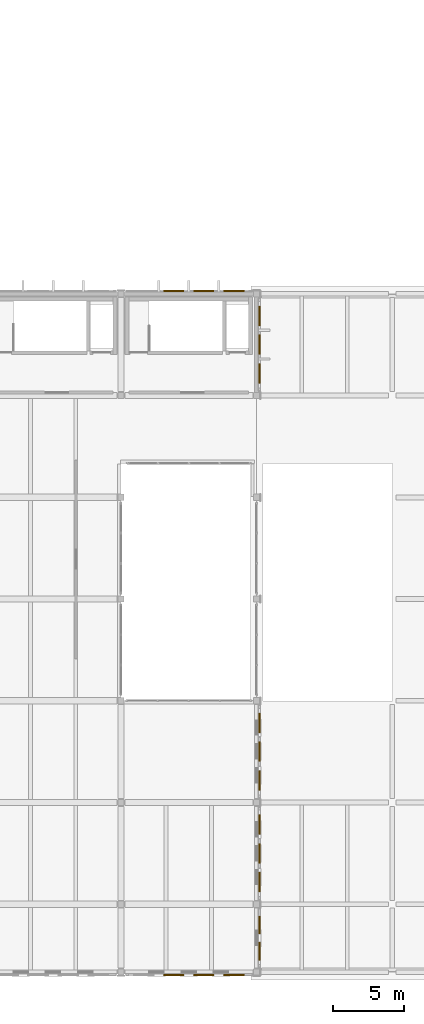
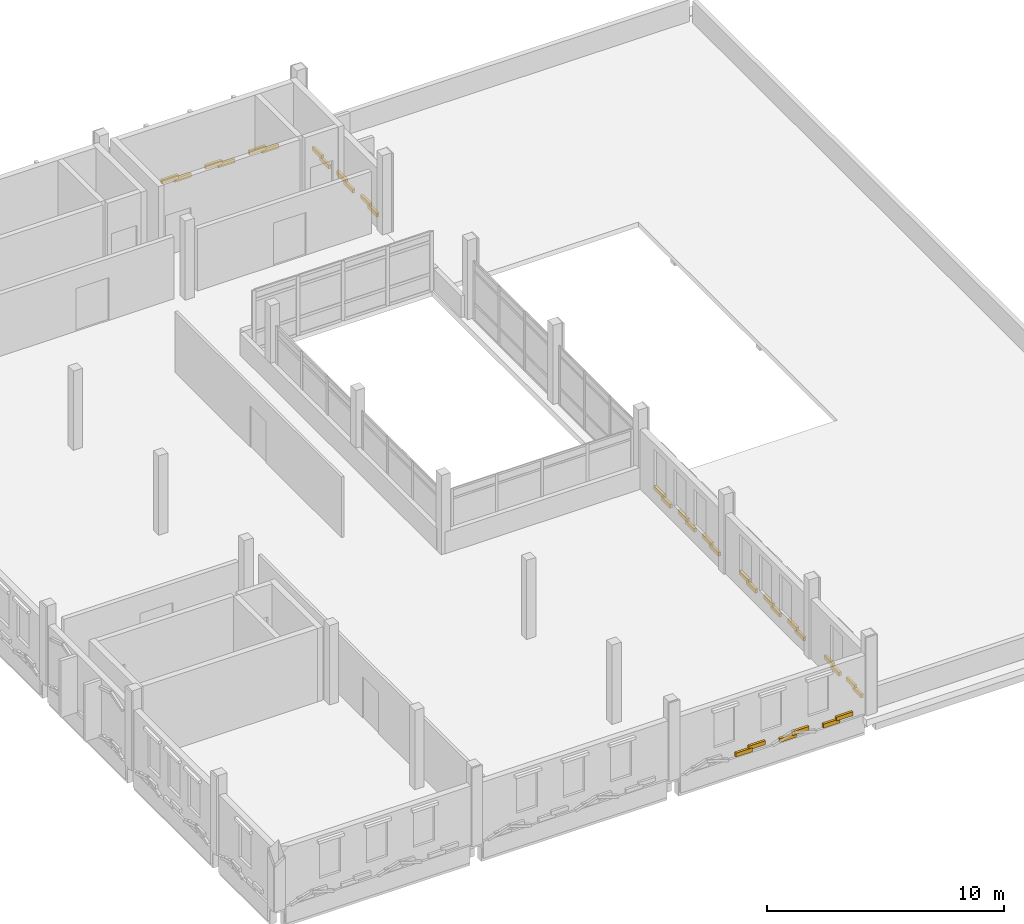
# One storey, part 50 of 50: 34 coverings.
"""IFC4 building model written with IfcOpenShell, lengths in metres."""

from ifc_helpers import new_model, si_unit, direction, frame, origin, origin_2d, place, context, subcontext, project, spatial, rectangle, extrude, material, layer, layer_set, type_object, element, save


model = new_model("IFC4")

# Units and contexts
model_context = context("Model", 3, precision=1e-05, world=origin(), true_north=direction((0.0, 1.0)))
body_context = subcontext(model_context, "Body", "Model", "MODEL_VIEW")
ifc_project = project(units=[si_unit("LENGTHUNIT", "METRE"), si_unit("AREAUNIT", "SQUARE_METRE"), si_unit("VOLUMEUNIT", "CUBIC_METRE"), si_unit("PLANEANGLEUNIT", "RADIAN"), si_unit("MASSUNIT", "GRAM", prefix="KILO")], contexts=[model_context])

# Site, building, storey
site_placement = place(None, origin())
site = spatial("IfcSite", under=ifc_project, at=site_placement, CompositionType="ELEMENT")
building_placement = place(site_placement, origin())
building = spatial("IfcBuilding", under=site, at=building_placement, Name="Asteropetra Specialist Clinic", CompositionType="ELEMENT")
storey_placement = place(building_placement, frame((0.0, 0.0, 16.659912109375)))
storey = spatial("IfcBuildingStorey", under=building, at=storey_placement, Name="L04", CompositionType="ELEMENT", Elevation=16.659912109375)

# Coverings
ifc_material = material(Name="Chevron pale marble", Category="masonry")
ifc_layer = layer(ifc_material, 0.1201171875)
ifc_layer_set = layer_set([ifc_layer], Name="Chevron pale marble")
covering_type = type_object("IfcCoveringType", Name="CLD-AEG-MARB", PredefinedType="CLADDING", material=ifc_layer_set)
for number, where, z_axis, x_axis, name in (
    (1, (128.22314453125, -0.202392578125, 0.1201171875), (0.0, 0.0, 1.0), (1.0, 0.0, 0.0), "Chevron Ceramic Band CV-2350"),
    (2, (128.849365234375, -0.202392578125, 0.26025390625), (0.0, 0.0, 1.0), (1.0, 0.0, 0.0), "Chevron Ceramic Band CV-2351"),
    (3, (130.3505859375, -0.202392578125, 0.1201171875), (0.0, 0.0, 1.0), (1.0, 0.0, 0.0), "Chevron Ceramic Band CV-2352"),
    (4, (130.976806640625, -0.202392578125, 0.26025390625), (0.0, 0.0, 1.0), (1.0, 0.0, 0.0), "Chevron Ceramic Band CV-2353"),
    (5, (132.47802734375, -0.202392578125, 0.1201171875), (0.0, 0.0, 1.0), (1.0, 0.0, 0.0), "Chevron Ceramic Band CV-2354"),
    (6, (133.1044921875, -0.202392578125, 0.26025390625), (0.0, 0.0, 1.0), (1.0, 0.0, 0.0), "Chevron Ceramic Band CV-2355"),
    (7, (133.1044921875, 48.202392578125, 0.1201171875), (0.0, 0.0, 1.0), (1.0, 0.0, 0.0), "Chevron Ceramic Band CV-2357"),
    (8, (132.47802734375, 48.202392578125, 0.26025390625), (0.0, 0.0, 1.0), (1.0, 0.0, 0.0), "Chevron Ceramic Band CV-2358"),
    (9, (130.976806640625, 48.202392578125, 0.1201171875), (0.0, 0.0, 1.0), (1.0, 0.0, 0.0), "Chevron Ceramic Band CV-2359"),
    (10, (130.3505859375, 48.202392578125, 0.26025390625), (0.0, 0.0, 1.0), (1.0, 0.0, 0.0), "Chevron Ceramic Band CV-2360"),
    (11, (128.849365234375, 48.202392578125, 0.1201171875), (0.0, 0.0, 1.0), (1.0, 0.0, 0.0), "Chevron Ceramic Band CV-2361"),
    (12, (128.22314453125, 48.202392578125, 0.26025390625), (0.0, 0.0, 1.0), (1.0, 0.0, 0.0), "Chevron Ceramic Band CV-2362"),
):
    element("IfcCovering", number, at=place(storey_placement, frame(where, z_axis=z_axis, x_axis=x_axis)), inside=storey, type_object=covering_type, Name=name, PredefinedType="CLADDING", context=body_context, shape_type="SweptSolid", body=[
        extrude(rectangle(XDim=0.80810546875, YDim=0.1201171875, at=origin_2d()), origin(), (0.0, 0.0, 1.0), 0.199951171875),
    ])
for number, where, z_axis, x_axis, name in (
    (13, (134.6025390625, 1.2001953125, 0.1201171875), (0.0, 0.0, 1.0), (1.0, 0.0, 0.0), "Chevron Ceramic Band CV-2373"),
    (14, (134.6025390625, 1.744873046875, 0.26025390625), (0.0, 0.0, 1.0), (1.0, 0.0, 0.0), "Chevron Ceramic Band CV-2374"),
    (15, (134.6025390625, 3.055419921875, 0.1201171875), (0.0, 0.0, 1.0), (1.0, 0.0, 0.0), "Chevron Ceramic Band CV-2375"),
    (16, (134.6025390625, 3.599609375, 0.26025390625), (0.0, 0.0, 1.0), (1.0, 0.0, 0.0), "Chevron Ceramic Band CV-2376"),
):
    element("IfcCovering", number, at=place(storey_placement, frame(where, z_axis=z_axis, x_axis=x_axis)), inside=storey, type_object=covering_type, Name=name, PredefinedType="CLADDING", context=body_context, shape_type="SweptSolid", body=[
        extrude(rectangle(XDim=0.1201171875, YDim=0.705078125, at=origin_2d()), origin(), (0.0, 0.0, 1.0), 0.199951171875),
    ])
for number, where, z_axis, x_axis, name in (
    (17, (134.6025390625, 6.063720703125, 0.1201171875), (0.0, 0.0, 1.0), (1.0, 0.0, 0.0), "Chevron Ceramic Band CV-2391"),
    (18, (134.6025390625, 6.662841796875, 0.26025390625), (0.0, 0.0, 1.0), (1.0, 0.0, 0.0), "Chevron Ceramic Band CV-2392"),
    (19, (134.6025390625, 8.1005859375, 0.1201171875), (0.0, 0.0, 1.0), (1.0, 0.0, 0.0), "Chevron Ceramic Band CV-2393"),
    (20, (134.6025390625, 8.699462890625, 0.26025390625), (0.0, 0.0, 1.0), (1.0, 0.0, 0.0), "Chevron Ceramic Band CV-2394"),
    (21, (134.6025390625, 10.13720703125, 0.1201171875), (0.0, 0.0, 1.0), (1.0, 0.0, 0.0), "Chevron Ceramic Band CV-2395"),
    (22, (134.6025390625, 10.736083984375, 0.26025390625), (0.0, 0.0, 1.0), (1.0, 0.0, 0.0), "Chevron Ceramic Band CV-2396"),
    (23, (134.6025390625, 13.263916015625, 0.1201171875), (0.0, 0.0, 1.0), (1.0, 0.0, 0.0), "Chevron Ceramic Band CV-2408"),
    (24, (134.6025390625, 13.86279296875, 0.26025390625), (0.0, 0.0, 1.0), (1.0, 0.0, 0.0), "Chevron Ceramic Band CV-2409"),
    (25, (134.6025390625, 15.300537109375, 0.1201171875), (0.0, 0.0, 1.0), (1.0, 0.0, 0.0), "Chevron Ceramic Band CV-2410"),
    (26, (134.6025390625, 15.8994140625, 0.26025390625), (0.0, 0.0, 1.0), (1.0, 0.0, 0.0), "Chevron Ceramic Band CV-2411"),
    (27, (134.6025390625, 17.337158203125, 0.1201171875), (0.0, 0.0, 1.0), (1.0, 0.0, 0.0), "Chevron Ceramic Band CV-2412"),
    (28, (134.6025390625, 17.936279296875, 0.26025390625), (0.0, 0.0, 1.0), (1.0, 0.0, 0.0), "Chevron Ceramic Band CV-2413"),
    (29, (134.6025390625, 42.063720703125, 0.1201171875), (0.0, 0.0, 1.0), (1.0, 0.0, 0.0), "Chevron Ceramic Band CV-2455"),
    (30, (134.6025390625, 42.662841796875, 0.26025390625), (0.0, 0.0, 1.0), (1.0, 0.0, 0.0), "Chevron Ceramic Band CV-2456"),
    (31, (134.6025390625, 44.1005859375, 0.1201171875), (0.0, 0.0, 1.0), (1.0, 0.0, 0.0), "Chevron Ceramic Band CV-2457"),
    (32, (134.6025390625, 44.699462890625, 0.26025390625), (0.0, 0.0, 1.0), (1.0, 0.0, 0.0), "Chevron Ceramic Band CV-2458"),
    (33, (134.6025390625, 46.13720703125, 0.1201171875), (0.0, 0.0, 1.0), (1.0, 0.0, 0.0), "Chevron Ceramic Band CV-2459"),
    (34, (134.6025390625, 46.736083984375, 0.26025390625), (0.0, 0.0, 1.0), (1.0, 0.0, 0.0), "Chevron Ceramic Band CV-2460"),
):
    element("IfcCovering", number, at=place(storey_placement, frame(where, z_axis=z_axis, x_axis=x_axis)), inside=storey, type_object=covering_type, Name=name, PredefinedType="CLADDING", context=body_context, shape_type="SweptSolid", body=[
        extrude(rectangle(XDim=0.1201171875, YDim=0.77392578125, at=origin_2d()), origin(), (0.0, 0.0, 1.0), 0.199951171875),
    ])

save(model, "model.ifc")
